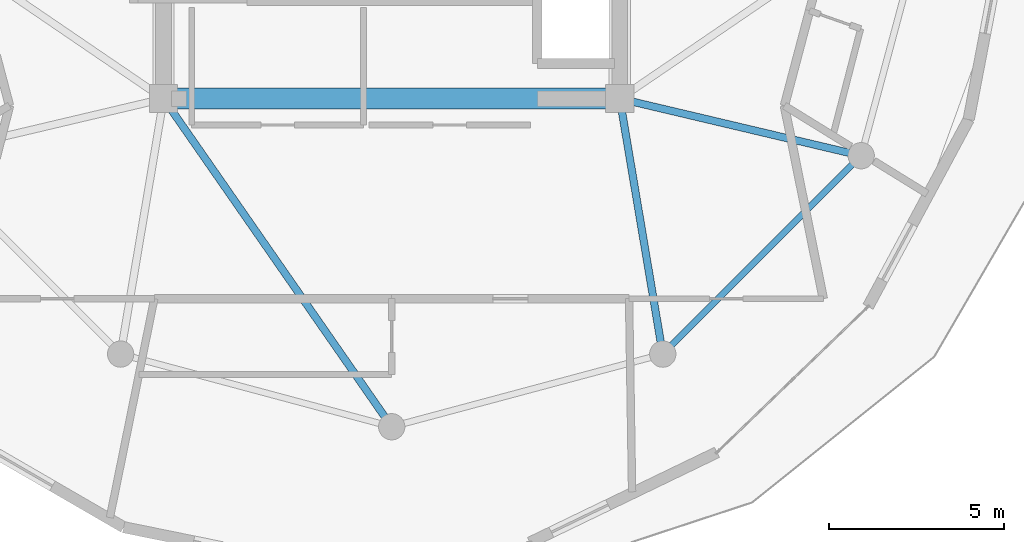
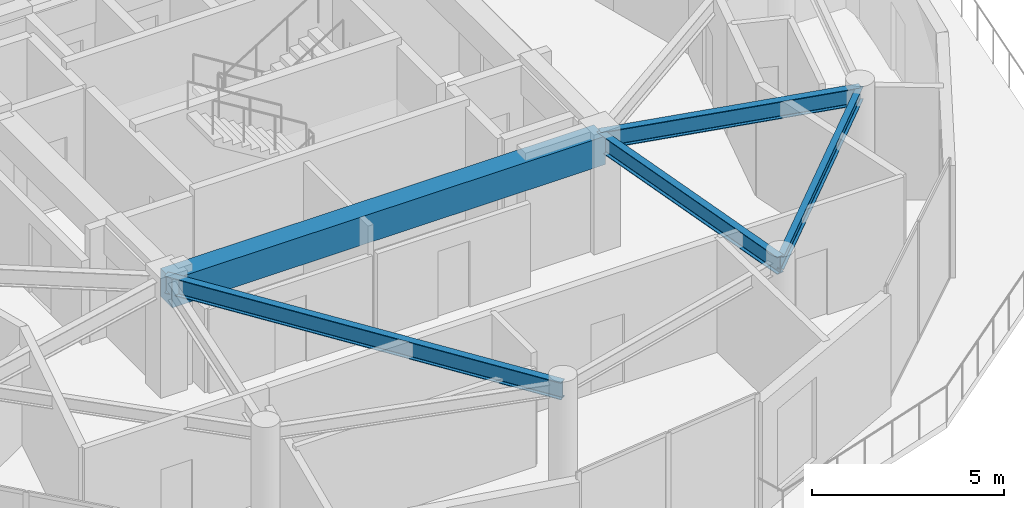
# One storey, part 6 of 23: 5 beams.
"""IFC4 building model written with IfcOpenShell, lengths in metres."""

from ifc_helpers import new_model, si_unit, direction, frame, origin, origin_2d, place, context, subcontext, project, spatial, rectangle, i_section, extrude, material, material_profile, profile_set, type_object, element, save


model = new_model("IFC4")

# Units and contexts
model_context = context("Model", 3, precision=1e-05, world=origin(), true_north=direction((0.0, 1.0)))
body_context = subcontext(model_context, "Body", "Model", "MODEL_VIEW")
ifc_project = project(units=[si_unit("LENGTHUNIT", "METRE"), si_unit("AREAUNIT", "SQUARE_METRE"), si_unit("VOLUMEUNIT", "CUBIC_METRE"), si_unit("PLANEANGLEUNIT", "RADIAN"), si_unit("MASSUNIT", "GRAM", prefix="KILO")], contexts=[model_context])

# Site, building, storey
site_placement = place(None, origin())
site = spatial("IfcSite", under=ifc_project, at=site_placement, CompositionType="ELEMENT")
building_placement = place(site_placement, origin())
building = spatial("IfcBuilding", under=site, at=building_placement, Name="Solvirekh Grand Hotel", CompositionType="ELEMENT")
storey_placement = place(building_placement, frame((0.0, 0.0, 285.800048828125)))
storey = spatial("IfcBuildingStorey", under=building, at=storey_placement, Name="L74", CompositionType="ELEMENT", Elevation=285.800048828125)

# Beams
ifc_material_1 = material(Name="Concrete C50/60", Category="concrete")
ifc_material_profile_1 = material_profile(ifc_material_1, rectangle(XDim=0.60009765625, YDim=0.89990234375, at=origin_2d()), Name="RC BEAM 600X900")
ifc_profile_set_1 = profile_set([ifc_material_profile_1], Name="Concrete C50/60")
beam_type_1 = type_object("IfcBeamType", Name="Beam_Core_RC900", PredefinedType="BEAM", material=ifc_profile_set_1)
beam_1_placement = place(storey_placement, frame((-6.5, -6.10009765625, 3.119873046875), z_axis=(1.0, 0.0, 0.0), x_axis=(0.0, 1.0, 0.0)))
element("IfcBeam", 1, at=beam_1_placement, inside=storey, type_object=beam_type_1, Name="L74 core coupling ring beam 1", PredefinedType="BEAM", context=body_context, shape_type="SweptSolid", body=[
    extrude(rectangle(XDim=0.60009765625, YDim=0.89990234375, at=origin_2d()), origin(), (0.0, 0.0, 1.0), 13.0),
])
ifc_material_2 = material(Name="Steel S355", Category="steel")
ifc_material_profile_2 = material_profile(ifc_material_2, i_section(OverallWidth=0.2119140625, OverallDepth=0.5439453125, WebThickness=0.011962890625, FlangeThickness=0.01904296875, FilletRadius=0.013916015625, at=origin_2d()), Name="W530X123")
ifc_profile_set_2 = profile_set([ifc_material_profile_2], Name="Steel S355")
beam_type_2 = type_object("IfcBeamType", Name="Beam_Radial_W530H", PredefinedType="BEAM", material=ifc_profile_set_2)
beam_2_placement = place(storey_placement, frame((-6.5, -6.10009765625, 3.2978515625), z_axis=(0.570813192472, -0.821079959139, 0.0), x_axis=(0.821079959139, 0.570813192472, 0.0)))
element("IfcBeam", 2, at=beam_2_placement, inside=storey, type_object=beam_type_2, Name="L74 radial floor beam R10", PredefinedType="BEAM", context=body_context, shape_type="SweptSolid", body=[
    extrude(i_section(OverallWidth=0.2119140625, OverallDepth=0.5439453125, WebThickness=0.011962890625, FlangeThickness=0.01904296875, FilletRadius=0.013916015625, at=origin_2d()), origin(), (0.0, 0.0, 1.0), 11.38720703125),
])
beam_3_placement = place(storey_placement, frame((6.5, -6.10009765625, 3.2978515625), z_axis=(0.165954049106, -0.986133486697, 0.0), x_axis=(0.986133486697, 0.165954049106, 0.0)))
element("IfcBeam", 3, at=beam_3_placement, inside=storey, type_object=beam_type_2, Name="L74 radial floor beam R11", PredefinedType="BEAM", context=body_context, shape_type="SweptSolid", body=[
    extrude(i_section(OverallWidth=0.2119140625, OverallDepth=0.5439453125, WebThickness=0.011962890625, FlangeThickness=0.01904296875, FilletRadius=0.013916015625, at=origin_2d()), origin(), (0.0, 0.0, 1.0), 7.382080078125),
])
beam_4_placement = place(storey_placement, frame((6.5, -6.10009765625, 3.2978515625), z_axis=(0.973221147544, -0.229870828888, 0.0), x_axis=(0.229870828888, 0.973221147544, 0.0)))
element("IfcBeam", 4, at=beam_4_placement, inside=storey, type_object=beam_type_2, Name="L74 radial floor beam R12", PredefinedType="BEAM", context=body_context, shape_type="SweptSolid", body=[
    extrude(i_section(OverallWidth=0.2119140625, OverallDepth=0.5439453125, WebThickness=0.011962890625, FlangeThickness=0.01904296875, FilletRadius=0.013916015625, at=origin_2d()), origin(), (0.0, 0.0, 1.0), 7.069091796875),
])
ifc_material_profile_3 = material_profile(ifc_material_2, i_section(OverallWidth=0.180908203125, OverallDepth=0.4169921875, WebThickness=0.010009765625, FlangeThickness=0.01611328125, FilletRadius=0.011962890625, at=origin_2d()), Name="W410X85")
ifc_profile_set_3 = profile_set([ifc_material_profile_3], Name="Steel S355")
beam_type_3 = type_object("IfcBeamType", Name="Spandrel_Ring_W410", PredefinedType="SPANDREL", material=ifc_profile_set_3)
beam_5_placement = place(storey_placement, frame((7.72509765625, -13.3798828125, 3.36083984375), z_axis=(0.707106781187, 0.707106781187, 0.0), x_axis=(-0.707106781187, 0.707106781187, 0.0)))
element("IfcBeam", 5, at=beam_5_placement, inside=storey, type_object=beam_type_3, Name="L74 perimeter spandrel beam 11", PredefinedType="SPANDREL", context=body_context, shape_type="SweptSolid", body=[
    extrude(i_section(OverallWidth=0.180908203125, OverallDepth=0.4169921875, WebThickness=0.010009765625, FlangeThickness=0.01611328125, FilletRadius=0.011962890625, at=origin_2d()), origin(), (0.0, 0.0, 1.0), 7.9970703125),
])

save(model, "model.ifc")
